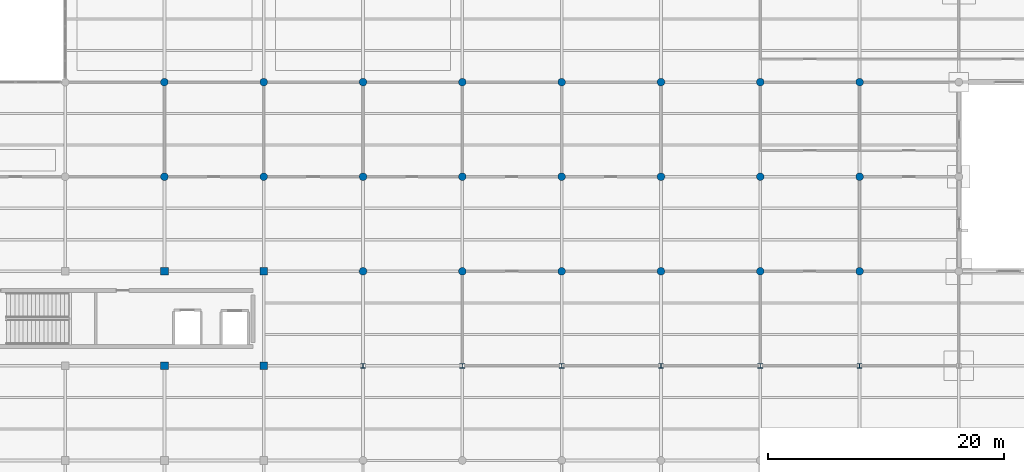
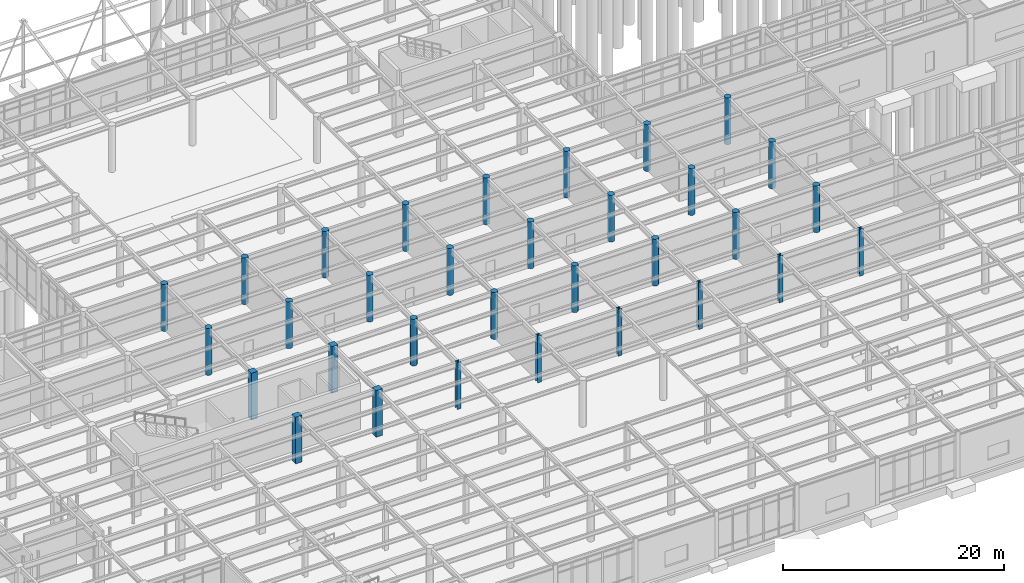
# One storey, part 10 of 138: 32 columns.
"""IFC4 building model written with IfcOpenShell, lengths in metres."""

from ifc_helpers import new_model, si_unit, direction, frame, origin, origin_2d, place, context, subcontext, project, spatial, rectangle, circle, i_section, extrude, material, material_profile, profile_set, type_object, element, save


model = new_model("IFC4")

# Units and contexts
model_context = context("Model", 3, precision=1e-05, world=origin(), true_north=direction((0.0, 1.0)))
body_context = subcontext(model_context, "Body", "Model", "MODEL_VIEW")
ifc_project = project(units=[si_unit("LENGTHUNIT", "METRE"), si_unit("AREAUNIT", "SQUARE_METRE"), si_unit("VOLUMEUNIT", "CUBIC_METRE"), si_unit("PLANEANGLEUNIT", "RADIAN"), si_unit("MASSUNIT", "GRAM", prefix="KILO")], contexts=[model_context])

# Site, building, storey
site_placement = place(None, origin())
site = spatial("IfcSite", under=ifc_project, at=site_placement, CompositionType="ELEMENT")
building_placement = place(site_placement, origin())
building = spatial("IfcBuilding", under=site, at=building_placement, Name="Kranzveld Transit Interchange", CompositionType="ELEMENT")
storey_placement = place(building_placement, origin())
storey = spatial("IfcBuildingStorey", under=building, at=storey_placement, Name="L00", CompositionType="ELEMENT", Elevation=0.0)

# Columns
ifc_material_1 = material(Name="Concrete C35/45", Category="concrete")
ifc_material_profile_1 = material_profile(ifc_material_1, rectangle(XDim=0.64990234375, YDim=0.64990234375, at=origin_2d()), Name="RC 650x650")
ifc_profile_set_1 = profile_set([ifc_material_profile_1], Name="Concrete C35/45")
column_type_1 = type_object("IfcColumnType", Name="Column RC 650x650 C35/45", PredefinedType="COLUMN", material=ifc_profile_set_1)
for number, where, z_axis, x_axis, name in (
    (1, (67.199951171875, 32.0, 0.0), (0.0, 0.0, 1.0), (1.0, 0.0, 0.0), "L00 Column 09/E"),
    (2, (67.199951171875, 40.0, 0.0), (0.0, 0.0, 1.0), (1.0, 0.0, 0.0), "L00 Column 09/F"),
    (3, (75.60009765625, 32.0, 0.0), (0.0, 0.0, 1.0), (1.0, 0.0, 0.0), "L00 Column 10/E"),
    (4, (75.60009765625, 40.0, 0.0), (0.0, 0.0, 1.0), (1.0, 0.0, 0.0), "L00 Column 10/F"),
):
    element("IfcColumn", number, at=place(storey_placement, frame(where, z_axis=z_axis, x_axis=x_axis)), inside=storey, type_object=column_type_1, Name=name, PredefinedType="COLUMN", context=body_context, shape_type="SweptSolid", body=[
        extrude(rectangle(XDim=0.64990234375, YDim=0.64990234375, at=origin_2d()), origin(), (0.0, 0.0, 1.0), 5.14990234375),
    ])
ifc_material_2 = material(Name="Concrete C35/45", Category="concrete")
ifc_material_profile_2 = material_profile(ifc_material_2, circle(Radius=0.324951171875, at=origin_2d()), Name="RC DIA 650")
ifc_profile_set_2 = profile_set([ifc_material_profile_2], Name="Concrete C35/45")
column_type_2 = type_object("IfcColumnType", Name="Column RC Dia 650 C35/45", PredefinedType="COLUMN", material=ifc_profile_set_2)
for number, where, z_axis, x_axis, name in (
    (5, (67.199951171875, 48.0, 0.0), (0.0, 0.0, 1.0), (1.0, 0.0, 0.0), "L00 Column 09/G"),
    (6, (67.199951171875, 56.0, 0.0), (0.0, 0.0, 1.0), (1.0, 0.0, 0.0), "L00 Column 09/H"),
    (7, (75.60009765625, 48.0, 0.0), (0.0, 0.0, 1.0), (1.0, 0.0, 0.0), "L00 Column 10/G"),
    (8, (75.60009765625, 56.0, 0.0), (0.0, 0.0, 1.0), (1.0, 0.0, 0.0), "L00 Column 10/H"),
    (9, (84.0, 40.0, 0.0), (0.0, 0.0, 1.0), (1.0, 0.0, 0.0), "L00 Column 11/F"),
    (10, (84.0, 48.0, 0.0), (0.0, 0.0, 1.0), (1.0, 0.0, 0.0), "L00 Column 11/G"),
    (11, (84.0, 56.0, 0.0), (0.0, 0.0, 1.0), (1.0, 0.0, 0.0), "L00 Column 11/H"),
    (12, (92.39990234375, 40.0, 0.0), (0.0, 0.0, 1.0), (1.0, 0.0, 0.0), "L00 Column 12/F"),
    (13, (92.39990234375, 48.0, 0.0), (0.0, 0.0, 1.0), (1.0, 0.0, 0.0), "L00 Column 12/G"),
    (14, (92.39990234375, 56.0, 0.0), (0.0, 0.0, 1.0), (1.0, 0.0, 0.0), "L00 Column 12/H"),
    (15, (100.800048828125, 40.0, 0.0), (0.0, 0.0, 1.0), (1.0, 0.0, 0.0), "L00 Column 13/F"),
    (16, (100.800048828125, 48.0, 0.0), (0.0, 0.0, 1.0), (1.0, 0.0, 0.0), "L00 Column 13/G"),
    (17, (100.800048828125, 56.0, 0.0), (0.0, 0.0, 1.0), (1.0, 0.0, 0.0), "L00 Column 13/H"),
    (18, (109.199951171875, 40.0, 0.0), (0.0, 0.0, 1.0), (1.0, 0.0, 0.0), "L00 Column 14/F"),
    (19, (109.199951171875, 48.0, 0.0), (0.0, 0.0, 1.0), (1.0, 0.0, 0.0), "L00 Column 14/G"),
    (20, (109.199951171875, 56.0, 0.0), (0.0, 0.0, 1.0), (1.0, 0.0, 0.0), "L00 Column 14/H"),
    (21, (117.60009765625, 40.0, 0.0), (0.0, 0.0, 1.0), (1.0, 0.0, 0.0), "L00 Column 15/F"),
    (22, (117.60009765625, 48.0, 0.0), (0.0, 0.0, 1.0), (1.0, 0.0, 0.0), "L00 Column 15/G"),
    (23, (117.60009765625, 56.0, 0.0), (0.0, 0.0, 1.0), (1.0, 0.0, 0.0), "L00 Column 15/H"),
    (24, (126.0, 40.0, 0.0), (0.0, 0.0, 1.0), (1.0, 0.0, 0.0), "L00 Column 16/F"),
    (25, (126.0, 48.0, 0.0), (0.0, 0.0, 1.0), (1.0, 0.0, 0.0), "L00 Column 16/G"),
    (26, (126.0, 56.0, 0.0), (0.0, 0.0, 1.0), (1.0, 0.0, 0.0), "L00 Column 16/H"),
):
    element("IfcColumn", number, at=place(storey_placement, frame(where, z_axis=z_axis, x_axis=x_axis)), inside=storey, type_object=column_type_2, Name=name, PredefinedType="COLUMN", context=body_context, shape_type="SweptSolid", body=[
        extrude(circle(Radius=0.324951171875, at=origin_2d()), origin(), (0.0, 0.0, 1.0), 5.14990234375),
    ])
ifc_material_3 = material(Name="Steel S355JR", Category="steel")
ifc_material_profile_3 = material_profile(ifc_material_3, i_section(OverallWidth=0.39892578125, OverallDepth=0.3935546875, WebThickness=0.022705078125, FlangeThickness=0.03662109375, FilletRadius=0.01513671875, at=origin_2d()), Name="UC 356x406x287")
ifc_profile_set_3 = profile_set([ifc_material_profile_3], Name="Steel S355JR")
column_type_3 = type_object("IfcColumnType", Name="Column Steel UC 356x406x287 S355JR", PredefinedType="COLUMN", material=ifc_profile_set_3)
for number, where, z_axis, x_axis, name in (
    (27, (84.0, 32.0, 0.0), (0.0, 0.0, 1.0), (1.0, 0.0, 0.0), "L00 Column 11/E"),
    (28, (92.39990234375, 32.0, 0.0), (0.0, 0.0, 1.0), (1.0, 0.0, 0.0), "L00 Column 12/E"),
    (29, (100.800048828125, 32.0, 0.0), (0.0, 0.0, 1.0), (1.0, 0.0, 0.0), "L00 Column 13/E"),
    (30, (109.199951171875, 32.0, 0.0), (0.0, 0.0, 1.0), (1.0, 0.0, 0.0), "L00 Column 14/E"),
    (31, (117.60009765625, 32.0, 0.0), (0.0, 0.0, 1.0), (1.0, 0.0, 0.0), "L00 Column 15/E"),
    (32, (126.0, 32.0, 0.0), (0.0, 0.0, 1.0), (1.0, 0.0, 0.0), "L00 Column 16/E"),
):
    element("IfcColumn", number, at=place(storey_placement, frame(where, z_axis=z_axis, x_axis=x_axis)), inside=storey, type_object=column_type_3, Name=name, PredefinedType="COLUMN", context=body_context, shape_type="SweptSolid", body=[
        extrude(i_section(OverallWidth=0.39892578125, OverallDepth=0.3935546875, WebThickness=0.022705078125, FlangeThickness=0.03662109375, FilletRadius=0.01513671875, at=origin_2d()), origin(), (0.0, 0.0, 1.0), 5.14990234375),
    ])

save(model, "model.ifc")
